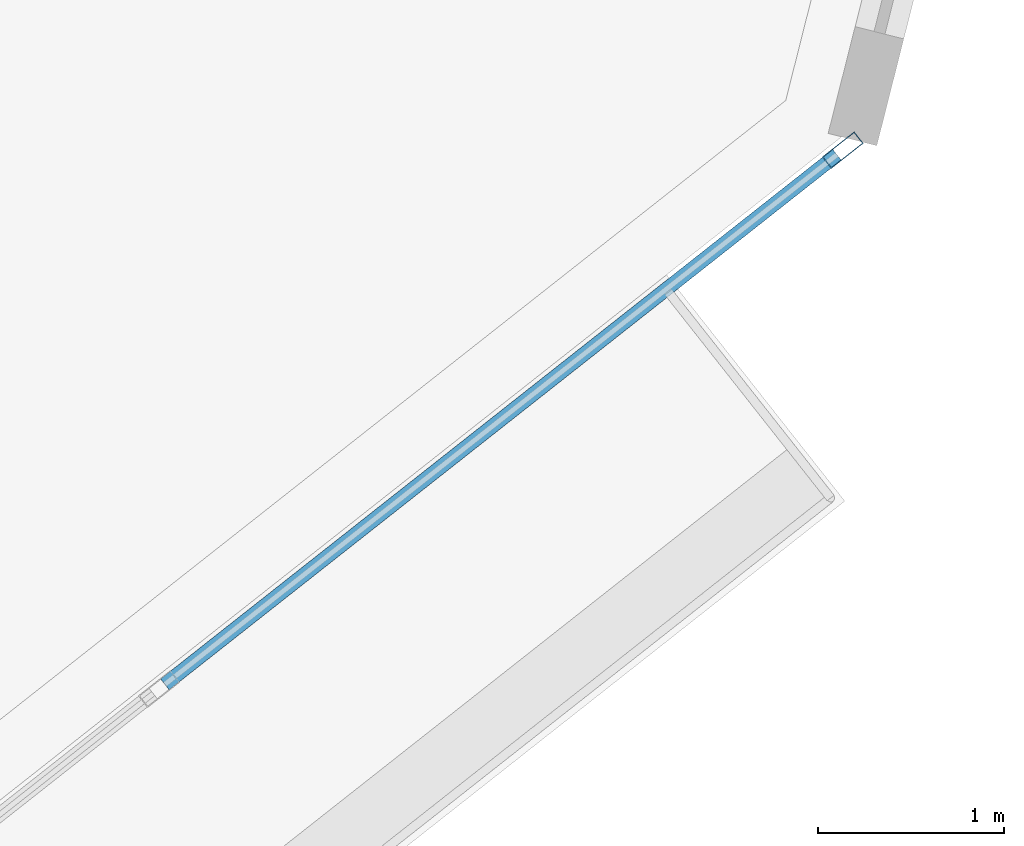
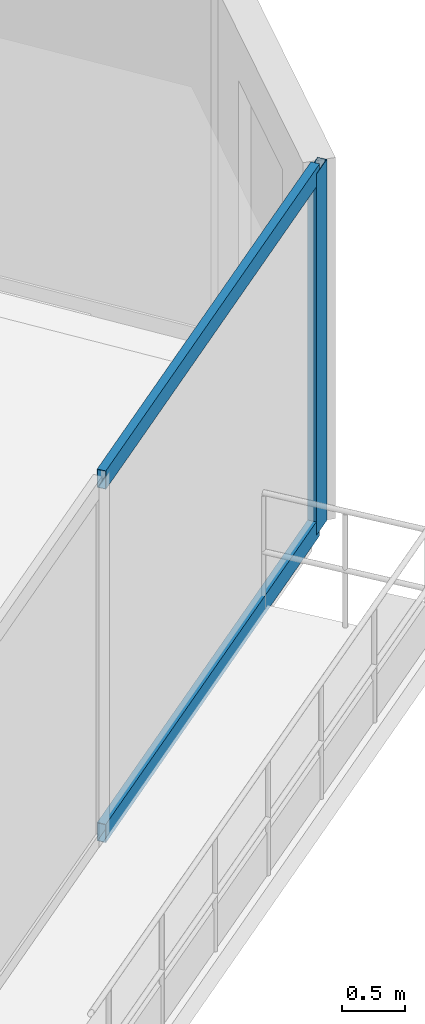
# One storey, part 10 of 24: 3 members, 1 element without a shape of its own.
"""IFC4 building model written with IfcOpenShell, lengths in metres."""

from ifc_helpers import new_model, si_unit, direction, frame, origin, origin_2d, place, context, subcontext, project, spatial, hollow_rectangle, extrude, source, transform, mapped, material, layer, layer_set, material_profile, profile_set, type_object, type_shapes, element, aggregate, save


model = new_model("IFC4")

# Units and contexts
model_context = context("Model", 3, precision=1e-05, world=origin(), true_north=direction((0.0, 1.0)))
body_context = subcontext(model_context, "Body", "Model", "MODEL_VIEW")
ifc_project = project(units=[si_unit("LENGTHUNIT", "METRE"), si_unit("AREAUNIT", "SQUARE_METRE"), si_unit("VOLUMEUNIT", "CUBIC_METRE"), si_unit("PLANEANGLEUNIT", "RADIAN"), si_unit("MASSUNIT", "GRAM", prefix="KILO")], contexts=[model_context])

# Site, building, storey
site_placement = place(None, origin())
site = spatial("IfcSite", under=ifc_project, at=site_placement, CompositionType="ELEMENT")
building_placement = place(site_placement, origin())
building = spatial("IfcBuilding", under=site, at=building_placement, Name="Talar Marvaseh", CompositionType="ELEMENT")
storey_placement = place(building_placement, frame((0.0, 0.0, 73.39990234375)))
storey = spatial("IfcBuildingStorey", under=building, at=storey_placement, Name="L18", CompositionType="ELEMENT", Elevation=73.39990234375)

# Curtain wall, members
ifc_material = material(Name="Architectural Aluminium", Category="aluminium")
ifc_layer = layer(ifc_material, 0.219970703125)
ifc_layer_set = layer_set([ifc_layer], Name="Architectural Aluminium")
curtain_wall_type = type_object("IfcCurtainWallType", Name="Unitised Low-E Museum Curtain Wall Z1", PredefinedType="NOTDEFINED", material=ifc_layer_set)
curtain_wall_placement = place(storey_placement, origin())
curtain_wall = element("IfcCurtainWall", 1, at=curtain_wall_placement, inside=storey, type_object=curtain_wall_type, Name="L18 Unitised Low-E Museum Curtain Wall Z1", PredefinedType="NOTDEFINED")
ifc_material_profile_1 = material_profile(ifc_material, hollow_rectangle(XDim=0.080078125, YDim=0.219970703125, WallThickness=0.0048828125, at=origin_2d()), Name="RHS220x80x5")
ifc_profile_set_1 = profile_set([ifc_material_profile_1], Name="Architectural Aluminium")
member_type_1 = type_object("IfcMemberType", Name="Unitised Curtain Wall Heavy Mullion RHS220x80x5", PredefinedType="MULLION", material=ifc_profile_set_1)
shared_shape_1 = source(origin(), body_context, "Body", "SweptSolid", [
    extrude(hollow_rectangle(XDim=0.080078125, YDim=0.219970703125, WallThickness=0.0048828125, at=origin_2d()), origin(), (0.0, 0.0, 1.0), 3.52001953125),
])
type_shapes(member_type_1, [shared_shape_1])
member_1_placement = place(storey_placement, frame((51.7080078125, 25.843017578125, 0.0), z_axis=(0.0, 0.0, 1.0), x_axis=(0.618972153017, -0.785412932023, 0.0)))
member_1 = element("IfcMember", 2, at=member_1_placement, type_object=member_type_1, Name="CW-Z1 mullion 1", PredefinedType="MULLION", context=body_context, shape_type="MappedRepresentation", body=[
    mapped(shared_shape_1, transform((0.0, 0.0, 0.0), x_axis=(1.0, 0.0, 0.0), y_axis=(0.0, 1.0, 0.0), z_axis=(0.0, 0.0, 1.0), scale=1.0)),
])
ifc_material_profile_2 = material_profile(ifc_material, hollow_rectangle(XDim=0.074951171875, YDim=0.179931640625, WallThickness=0.0048828125, at=origin_2d()), Name="RHS180x75x5")
ifc_profile_set_2 = profile_set([ifc_material_profile_2], Name="Architectural Aluminium")
member_type_2 = type_object("IfcMemberType", Name="Unitised Curtain Wall Transom RHS180x75x5", PredefinedType="USERDEFINED", material=ifc_profile_set_2)
shared_shape_2 = source(origin(), body_context, "Body", "SweptSolid", [
    extrude(hollow_rectangle(XDim=0.074951171875, YDim=0.179931640625, WallThickness=0.0048828125, at=origin_2d()), origin(), (0.0, 0.0, 1.0), 4.604248046875),
])
type_shapes(member_type_2, [shared_shape_2])
member_2_placement = place(storey_placement, frame((51.6767578125, 25.818359375, 0.03759765625), z_axis=(-0.785415898248, -0.61896838916, 0.0), x_axis=(0.61896838916, -0.785415898248, 0.0)))
member_2 = element("IfcMember", 3, at=member_2_placement, type_object=member_type_2, Name="CW-Z1 transom 1.1", ObjectType="TRANSOM", PredefinedType="USERDEFINED", context=body_context, shape_type="MappedRepresentation", body=[
    mapped(shared_shape_2, transform((0.0, 0.0, 0.0), x_axis=(1.0, 0.0, 0.0), y_axis=(0.0, 1.0, 0.0), z_axis=(0.0, 0.0, 1.0), scale=1.0)),
])
member_3_placement = place(storey_placement, frame((51.6767578125, 25.818359375, 3.482666015625), z_axis=(-0.785415898248, -0.61896838916, 0.0), x_axis=(0.61896838916, -0.785415898248, 0.0)))
member_3 = element("IfcMember", 4, at=member_3_placement, type_object=member_type_2, Name="CW-Z1 transom 1.2", ObjectType="TRANSOM", PredefinedType="USERDEFINED", context=body_context, shape_type="MappedRepresentation", body=[
    mapped(shared_shape_2, transform((0.0, 0.0, 0.0), x_axis=(1.0, 0.0, 0.0), y_axis=(0.0, 1.0, 0.0), z_axis=(0.0, 0.0, 1.0), scale=1.0)),
])
aggregate(curtain_wall, [member_1, member_2, member_3])

save(model, "model.ifc")
